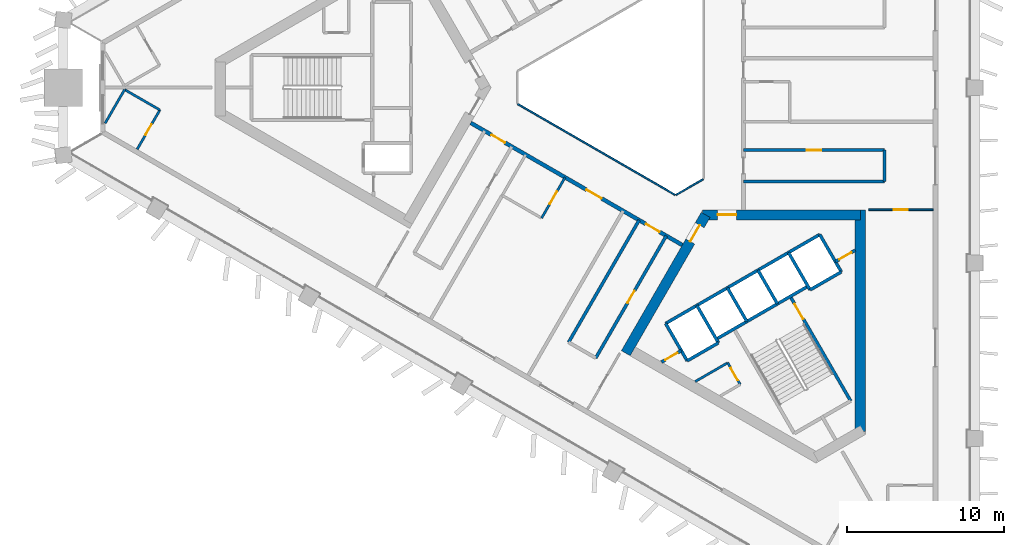
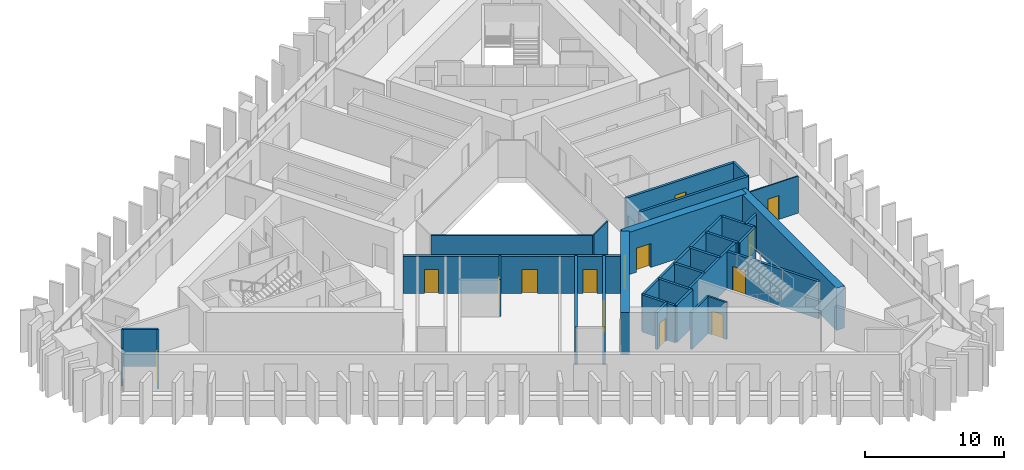
# One storey, part 3 of 10: 31 walls, 14 doors, 14 openings.
"""IFC4 building model written with IfcOpenShell, lengths in metres."""

from ifc_helpers import new_model, si_unit, direction, frame, frame_2d, origin, place, context, subcontext, project, spatial, rectangle, extrude, material, layer, layer_set, type_object, element, fill, save


model = new_model("IFC4")

# Units and contexts
model_context = context("Model", 3, precision=1e-05, world=origin(), true_north=direction((0.0, 1.0)))
body_context = subcontext(model_context, "Body", "Model", "MODEL_VIEW")
ifc_project = project(units=[si_unit("LENGTHUNIT", "METRE"), si_unit("AREAUNIT", "SQUARE_METRE"), si_unit("VOLUMEUNIT", "CUBIC_METRE"), si_unit("PLANEANGLEUNIT", "RADIAN"), si_unit("MASSUNIT", "GRAM", prefix="KILO")], contexts=[model_context])

# Site, building, storey
site_placement = place(None, origin())
site = spatial("IfcSite", under=ifc_project, at=site_placement, CompositionType="ELEMENT")
building_placement = place(site_placement, origin())
building = spatial("IfcBuilding", under=site, at=building_placement, Name="Jabali Bay Hotel Tower and Convention Centre", CompositionType="ELEMENT")
storey_placement = place(building_placement, frame((0.0, 0.0, 136.39990234375)))
storey = spatial("IfcBuildingStorey", under=building, at=storey_placement, Name="L33", CompositionType="ELEMENT", Elevation=136.39990234375)

# Walls
ifc_material_1 = material(Name="Fire-resistant glazing", Category="glass")
ifc_layer_1 = layer(ifc_material_1, 0.10009765625)
ifc_layer_set_1 = layer_set([ifc_layer_1], Name="Fire-resistant glazing")
wall_type_1 = type_object("IfcWallType", Name="Atrium glazed screen 100", PredefinedType="PARTITIONING", material=ifc_layer_set_1)
wall_1_placement = place(storey_placement, frame((67.7021484375, 78.947998046875, 0.0), z_axis=(0.0, 0.0, 1.0), x_axis=(0.866026658274, -0.499997827154, 0.0)))
element("IfcWall", 1, at=wall_1_placement, inside=storey, type_object=wall_type_1, Name="Atrium screen 5 L33", PredefinedType="PARTITIONING", context=body_context, shape_type="SweptSolid", body=[
    extrude(rectangle(XDim=11.58837890625, YDim=0.10009765625, at=frame_2d((5.794189453125, 0.0))), origin(), (0.0, 0.0, 1.0), 3.25),
])
wall_2_placement = place(storey_placement, frame((77.7978515625, 73.15380859375, 0.0), z_axis=(0.0, 0.0, 1.0), x_axis=(0.866041268327, 0.499972520799, 0.0)))
element("IfcWall", 2, at=wall_2_placement, inside=storey, type_object=wall_type_1, Name="Atrium screen 6 L33", PredefinedType="PARTITIONING", context=body_context, shape_type="SweptSolid", body=[
    extrude(rectangle(XDim=2.0, YDim=0.10009765625, at=frame_2d((1.0, 0.0))), origin(), (0.0, 0.0, 1.0), 3.25),
])

# Wall, opening, door
ifc_material_2 = material(Name="Concrete C40", Category="concrete")
ifc_layer_2 = layer(ifc_material_2, 0.199951171875)
ifc_layer_set_2 = layer_set([ifc_layer_2], Name="Concrete C40")
wall_type_2 = type_object("IfcWallType", Name="Core partition wall 200", PredefinedType="PARTITIONING", material=ifc_layer_set_2)
wall_3_placement = place(storey_placement, frame((76.869873046875, 62.489013671875, 0.0), z_axis=(0.0, 0.0, 1.0), x_axis=(0.866054810376, 0.49994906283, 0.0)))
wall_3 = element("IfcWall", 3, at=wall_3_placement, inside=storey, type_object=wall_type_2, Name="Core wall 2.11 L33", PredefinedType="PARTITIONING", context=body_context, shape_type="SweptSolid", body=[
    extrude(rectangle(XDim=1.461181640625, YDim=0.199951171875, at=frame_2d((0.73046875, 0.0))), origin(), (0.0, 0.0, 1.0), 3.25),
])
opening_1_placement = place(wall_3_placement, frame((0.280517578125, 0.0, 0.0)))
opening_1 = element("IfcOpeningElement", 4, at=opening_1_placement, cuts=wall_3, Name="Opening D739", PredefinedType="OPENING", context=body_context, shape_type="SweptSolid", body=[
    extrude(rectangle(XDim=0.89990234375, YDim=2.10009765625, at=frame_2d((0.449951171875, 1.050048828125))), frame((0.0, 0.1103515625, 0.0), z_axis=(0.0, -1.0, 0.0), x_axis=(1.0, 0.0, 0.0)), (0.0, 0.0, 1.0), 0.220947265625),
])
ifc_material_3 = material(Name="Fire-rated steel door", Category="steel")
door_type_1 = type_object("IfcDoorType", Name="Vestibule fire door 900 x 2100", OperationType="NOTDEFINED", PredefinedType="NOTDEFINED", material=ifc_material_3)
door_1_placement = place(opening_1_placement, origin())
door_1 = element("IfcDoor", 5, at=door_1_placement, inside=storey, type_object=door_type_1, Name="Vestibule fire door D739", OperationType="SINGLE_SWING_LEFT", OverallHeight=2.10009765625, OverallWidth=0.89990234375, PredefinedType="NOTDEFINED", context=body_context, shape_type="SweptSolid", body=[
    extrude(rectangle(XDim=0.89990234375, YDim=2.10009765625, at=frame_2d((0.449951171875, 1.050048828125))), frame((0.0, 0.02490234375, 0.0), z_axis=(0.0, -1.0, 0.0), x_axis=(1.0, 0.0, 0.0)), (0.0, 0.0, 1.0), 0.050048828125),
])
fill(opening_1, door_1)

wall_4_placement = place(storey_placement, frame((87.964599609375, 68.89453125, 0.0), z_axis=(0.0, 0.0, 1.0), x_axis=(0.866054810376, 0.49994906283, 0.0)))
wall_4 = element("IfcWall", 6, at=wall_4_placement, inside=storey, type_object=wall_type_2, Name="Core wall 2.12 L33", PredefinedType="PARTITIONING", context=body_context, shape_type="SweptSolid", body=[
    extrude(rectangle(XDim=1.461181640625, YDim=0.199951171875, at=frame_2d((0.73046875, 0.0))), origin(), (0.0, 0.0, 1.0), 3.25),
])
opening_2_placement = place(wall_4_placement, frame((0.280517578125, 0.0, 0.0)))
opening_2 = element("IfcOpeningElement", 7, at=opening_2_placement, cuts=wall_4, Name="Opening D738", PredefinedType="OPENING", context=body_context, shape_type="SweptSolid", body=[
    extrude(rectangle(XDim=0.89990234375, YDim=2.10009765625, at=frame_2d((0.449951171875, 1.050048828125))), frame((0.0, 0.1103515625, 0.0), z_axis=(0.0, -1.0, 0.0), x_axis=(1.0, 0.0, 0.0)), (0.0, 0.0, 1.0), 0.220947265625),
])
door_2_placement = place(opening_2_placement, origin())
door_2 = element("IfcDoor", 8, at=door_2_placement, inside=storey, type_object=door_type_1, Name="Vestibule fire door D738", OperationType="SINGLE_SWING_LEFT", OverallHeight=2.10009765625, OverallWidth=0.89990234375, PredefinedType="NOTDEFINED", context=body_context, shape_type="SweptSolid", body=[
    extrude(rectangle(XDim=0.89990234375, YDim=2.10009765625, at=frame_2d((0.449951171875, 1.050048828125))), frame((0.0, 0.02490234375, 0.0), z_axis=(0.0, -1.0, 0.0), x_axis=(1.0, 0.0, 0.0)), (0.0, 0.0, 1.0), 0.050048828125),
])
fill(opening_2, door_2)

ifc_material_4 = material(Name="Fire-rated board partition")
ifc_layer_3 = layer(ifc_material_4, 0.14990234375)
ifc_layer_set_3 = layer_set([ifc_layer_3], Name="Fire-rated board partition")
wall_type_3 = type_object("IfcWallType", Name="Core room partition 150", PredefinedType="PARTITIONING", material=ifc_layer_set_3)
wall_5_placement = place(storey_placement, frame((81.093994140625, 62.445068359375, 0.0), z_axis=(0.0, 0.0, 1.0), x_axis=(0.499880961361, -0.866094119867, 0.0)))
wall_5 = element("IfcWall", 9, at=wall_5_placement, inside=storey, type_object=wall_type_3, Name="Core wall 2.1 L33", PredefinedType="PARTITIONING", context=body_context, shape_type="SweptSolid", body=[
    extrude(rectangle(XDim=1.60009765625, YDim=0.14990234375, at=frame_2d((0.800048828125, 0.0))), origin(), (0.0, 0.0, 1.0), 3.25),
])
opening_3_placement = place(wall_5_placement, frame((0.387451171875, 0.0, 0.0)))
opening_3 = element("IfcOpeningElement", 10, at=opening_3_placement, cuts=wall_5, Name="Opening D741", PredefinedType="OPENING", context=body_context, shape_type="SweptSolid", body=[
    extrude(rectangle(XDim=0.89990234375, YDim=2.10009765625, at=frame_2d((0.449951171875, 1.050048828125))), frame((0.0, 0.08544921875, 0.0), z_axis=(0.0, -1.0, 0.0), x_axis=(1.0, 0.0, 0.0)), (0.0, 0.0, 1.0), 0.1708984375),
])
door_type_2 = type_object("IfcDoorType", Name="Core room door 900 x 2100", OperationType="NOTDEFINED", PredefinedType="NOTDEFINED", material=ifc_material_3)
door_3_placement = place(opening_3_placement, origin())
door_3 = element("IfcDoor", 11, at=door_3_placement, inside=storey, type_object=door_type_2, Name="Core room door D741", OperationType="SINGLE_SWING_LEFT", OverallHeight=2.10009765625, OverallWidth=0.89990234375, PredefinedType="NOTDEFINED", context=body_context, shape_type="SweptSolid", body=[
    extrude(rectangle(XDim=0.89990234375, YDim=2.10009765625, at=frame_2d((0.449951171875, 1.050048828125))), frame((0.0, 0.02490234375, 0.0), z_axis=(0.0, -1.0, 0.0), x_axis=(1.0, 0.0, 0.0)), (0.0, 0.0, 1.0), 0.050048828125),
])
fill(opening_3, door_3)

# Walls
wall_6_placement = place(storey_placement, frame((79.02001953125, 61.247802734375, 0.0), z_axis=(0.0, 0.0, 1.0), x_axis=(0.866051471819, 0.499954846121, 0.0)))
element("IfcWall", 12, at=wall_6_placement, inside=storey, type_object=wall_type_3, Name="Core wall 2.16 L33", PredefinedType="PARTITIONING", context=body_context, shape_type="SweptSolid", body=[
    extrude(rectangle(XDim=2.394775390625, YDim=0.14990234375, at=frame_2d((1.197265625, 0.0))), origin(), (0.0, 0.0, 1.0), 3.25),
])
ifc_layer_4 = layer(ifc_material_2, 0.199951171875)
ifc_layer_set_4 = layer_set([ifc_layer_4], Name="Concrete C40")
wall_type_4 = type_object("IfcWallType", Name="Core stair wall 200", PredefinedType="SOLIDWALL", material=ifc_layer_set_4)
for number, where, z_axis, x_axis, name in (
    (13, (77.13525390625, 64.95166015625, 0.0), (0.0, 0.0, 1.0), (0.499996545922, -0.866027397988, 0.0), "Core wall 2.0 L33"),
    (14, (79.127197265625, 66.1015625, 0.0), (0.0, 0.0, 1.0), (0.499996545922, -0.866027397988, 0.0), "Core wall 2.2 L33"),
):
    element("IfcWall", number, at=place(storey_placement, frame(where, z_axis=z_axis, x_axis=x_axis)), inside=storey, type_object=wall_type_4, Name=name, PredefinedType="SOLIDWALL", context=body_context, shape_type="SweptSolid", body=[
        extrude(rectangle(XDim=2.75, YDim=0.199951171875, at=frame_2d((1.375, 0.0))), origin(), (0.0, 0.0, 1.0), 3.25),
    ])
for number, where, z_axis, x_axis, name in (
    (15, (81.07568359375, 67.2265625, 0.0), (0.0, 0.0, 1.0), (0.50000366821, -0.866023285932, 0.0), "Core wall 2.4 L33"),
    (16, (83.024169921875, 68.3515625, 0.0), (0.0, 0.0, 1.0), (0.50000366821, -0.866023285932, 0.0), "Core wall 2.6 L33"),
):
    element("IfcWall", number, at=place(storey_placement, frame(where, z_axis=z_axis, x_axis=x_axis)), inside=storey, type_object=wall_type_4, Name=name, PredefinedType="SOLIDWALL", context=body_context, shape_type="SweptSolid", body=[
        extrude(rectangle(XDim=2.47998046875, YDim=0.199951171875, at=frame_2d((1.239990234375, 0.0))), origin(), (0.0, 0.0, 1.0), 3.25),
    ])

# Wall, opening, door
wall_7_placement = place(storey_placement, frame((85.0869140625, 66.6787109375, 0.0), z_axis=(0.0, 0.0, 1.0), x_axis=(0.500019787375, -0.866013979237, 0.0)))
wall_7 = element("IfcWall", 17, at=wall_7_placement, inside=storey, type_object=wall_type_4, Name="Core wall 2.7 L33", PredefinedType="SOLIDWALL", context=body_context, shape_type="SweptSolid", body=[
    extrude(rectangle(XDim=7.699951171875, YDim=0.199951171875, at=frame_2d((3.85009765625, 0.0))), origin(), (0.0, 0.0, 1.0), 3.25),
])
opening_4_placement = place(wall_7_placement, frame((0.550048828125, 0.0, 0.0)))
opening_4 = element("IfcOpeningElement", 18, at=opening_4_placement, cuts=wall_7, Name="Opening D740", PredefinedType="OPENING", context=body_context, shape_type="SweptSolid", body=[
    extrude(rectangle(XDim=1.10009765625, YDim=2.10009765625, at=frame_2d((0.550048828125, 1.050048828125))), frame((0.0, 0.1103515625, 0.0), z_axis=(0.0, -1.0, 0.0), x_axis=(1.0, 0.0, 0.0)), (0.0, 0.0, 1.0), 0.220947265625),
])
door_type_3 = type_object("IfcDoorType", Name="Stair fire door 1100 x 2100", OperationType="NOTDEFINED", PredefinedType="NOTDEFINED", material=ifc_material_3)
door_4_placement = place(opening_4_placement, origin())
door_4 = element("IfcDoor", 19, at=door_4_placement, inside=storey, type_object=door_type_3, Name="Stair fire door D740", OperationType="SINGLE_SWING_RIGHT", OverallHeight=2.10009765625, OverallWidth=1.10009765625, PredefinedType="NOTDEFINED", context=body_context, shape_type="SweptSolid", body=[
    extrude(rectangle(XDim=1.10009765625, YDim=2.10009765625, at=frame_2d((0.550048828125, 1.050048828125))), frame((0.0, 0.02490234375, 0.0), z_axis=(0.0, -1.0, 0.0), x_axis=(1.0, 0.0, 0.0)), (0.0, 0.0, 1.0), 0.050048828125),
])
fill(opening_4, door_4)

# Walls
for number, where, z_axis, x_axis, name in (
    (20, (84.972900390625, 69.4765625, 0.0), (0.0, 0.0, 1.0), (0.499996545922, -0.866027397988, 0.0), "Core wall 2.8 L33"),
    (21, (86.964599609375, 70.62646484375, 0.0), (0.0, 0.0, 1.0), (0.499996545922, -0.866027397988, 0.0), "Core wall 2.9 L33"),
):
    element("IfcWall", number, at=place(storey_placement, frame(where, z_axis=z_axis, x_axis=x_axis)), inside=storey, type_object=wall_type_4, Name=name, PredefinedType="SOLIDWALL", context=body_context, shape_type="SweptSolid", body=[
        extrude(rectangle(XDim=2.75, YDim=0.199951171875, at=frame_2d((1.375, 0.0))), origin(), (0.0, 0.0, 1.0), 3.25),
    ])
wall_8_placement = place(storey_placement, frame((77.13525390625, 64.95166015625, 0.0), z_axis=(0.0, 0.0, 1.0), x_axis=(0.866031916153, 0.499988720078, 0.0)))
element("IfcWall", 22, at=wall_8_placement, inside=storey, type_object=wall_type_4, Name="Core wall 2.10 L33", PredefinedType="SOLIDWALL", context=body_context, shape_type="SweptSolid", body=[
    extrude(rectangle(XDim=11.349853515625, YDim=0.199951171875, at=frame_2d((5.6748046875, 0.0))), origin(), (0.0, 0.0, 1.0), 3.25),
])
wall_9_placement = place(storey_placement, frame((80.3671875, 63.953857421875, 0.0), z_axis=(0.0, 0.0, 1.0), x_axis=(0.866026575979, 0.499997969693, 0.0)))
element("IfcWall", 23, at=wall_9_placement, inside=storey, type_object=wall_type_4, Name="Core wall 2.13 L33", PredefinedType="SOLIDWALL", context=body_context, shape_type="SweptSolid", body=[
    extrude(rectangle(XDim=6.75, YDim=0.199951171875, at=frame_2d((3.375, 0.0))), origin(), (0.0, 0.0, 1.0), 3.25),
])
wall_10_placement = place(storey_placement, frame((78.51025390625, 62.570068359375, 0.0), z_axis=(0.0, 0.0, 1.0), x_axis=(0.866053019151, 0.499952165731, 0.0)))
element("IfcWall", 24, at=wall_10_placement, inside=storey, type_object=wall_type_4, Name="Core wall 2.14 L33", PredefinedType="SOLIDWALL", context=body_context, shape_type="SweptSolid", body=[
    extrude(rectangle(XDim=2.300048828125, YDim=0.199951171875, at=frame_2d((1.14990234375, 0.0))), origin(), (0.0, 0.0, 1.0), 3.25),
])
wall_11_placement = place(storey_placement, frame((86.347900390625, 67.094970703125, 0.0), z_axis=(0.0, 0.0, 1.0), x_axis=(0.86602648383, 0.499998129301, 0.0)))
element("IfcWall", 25, at=wall_11_placement, inside=storey, type_object=wall_type_4, Name="Core wall 2.15 L33", PredefinedType="SOLIDWALL", context=body_context, shape_type="SweptSolid", body=[
    extrude(rectangle(XDim=2.2998046875, YDim=0.199951171875, at=frame_2d((1.14990234375, 0.0))), origin(), (0.0, 0.0, 1.0), 3.25),
])

# Wall, opening, door
ifc_material_5 = material(Name="Concrete C60", Category="concrete")
ifc_layer_5 = layer(ifc_material_5, 0.64990234375)
ifc_layer_set_5 = layer_set([ifc_layer_5], Name="Concrete C60")
wall_type_5 = type_object("IfcWallType", Name="Core wall 650", PredefinedType="SHEAR", material=ifc_layer_set_5)
wall_12_placement = place(storey_placement, frame((79.687744140625, 71.880859375, 0.0), z_axis=(0.0, 0.0, 1.0), x_axis=(-0.49999822179, -0.866026430432, 0.0)))
wall_12 = element("IfcWall", 26, at=wall_12_placement, inside=storey, type_object=wall_type_5, Name="Core wall 3.1 L33", PredefinedType="SHEAR", context=body_context, shape_type="SweptSolid", body=[
    extrude(rectangle(XDim=10.1923828125, YDim=0.64990234375, at=frame_2d((5.09619140625, 0.0))), origin(), (0.0, 0.0, 1.0), 3.7001953125),
])
opening_5_placement = place(wall_12_placement, frame((0.762451171875, 0.0, 0.0)))
opening_5 = element("IfcOpeningElement", 27, at=opening_5_placement, cuts=wall_12, Name="Opening D736", PredefinedType="OPENING", context=body_context, shape_type="SweptSolid", body=[
    extrude(rectangle(XDim=1.199951171875, YDim=2.10009765625, at=frame_2d((0.60009765625, 1.050048828125))), frame((0.0, 0.33544921875, 0.0), z_axis=(0.0, -1.0, 0.0), x_axis=(1.0, 0.0, 0.0)), (0.0, 0.0, 1.0), 0.6708984375),
])
door_type_4 = type_object("IfcDoorType", Name="Corridor end fire door 1200 x 2100", OperationType="NOTDEFINED", PredefinedType="NOTDEFINED", material=ifc_material_3)
door_5_placement = place(opening_5_placement, origin())
door_5 = element("IfcDoor", 28, at=door_5_placement, inside=storey, type_object=door_type_4, Name="Corridor end fire door D736", OperationType="SINGLE_SWING_RIGHT", OverallHeight=2.10009765625, OverallWidth=1.199951171875, PredefinedType="NOTDEFINED", context=body_context, shape_type="SweptSolid", body=[
    extrude(rectangle(XDim=1.199951171875, YDim=2.10009765625, at=frame_2d((0.60009765625, 1.050048828125))), frame((0.0, 0.02490234375, 0.0), z_axis=(0.0, -1.0, 0.0), x_axis=(1.0, 0.0, 0.0)), (0.0, 0.0, 1.0), 0.050048828125),
])
fill(opening_5, door_5)

# Wall
wall_13_placement = place(storey_placement, frame((89.554931640625, 58.06005859375, 0.0), z_axis=(0.0, 0.0, 1.0), x_axis=(0.0, 1.0, 0.0)))
element("IfcWall", 29, at=wall_13_placement, inside=storey, type_object=wall_type_5, Name="Core wall 3.4 L33", PredefinedType="SHEAR", context=body_context, shape_type="SweptSolid", body=[
    extrude(rectangle(XDim=14.145751953125, YDim=0.64990234375, at=frame_2d((7.07275390625, 0.0))), origin(), (0.0, 0.0, 1.0), 3.7001953125),
])

# Wall, opening, door
wall_14_placement = place(storey_placement, frame((89.554931640625, 71.880859375, 0.0), z_axis=(0.0, 0.0, 1.0), x_axis=(-1.0, 0.0, 0.0)))
wall_14 = element("IfcWall", 30, at=wall_14_placement, inside=storey, type_object=wall_type_5, Name="Core wall 3.5 L33", PredefinedType="SHEAR", context=body_context, shape_type="SweptSolid", body=[
    extrude(rectangle(XDim=10.054931640625, YDim=0.64990234375, at=frame_2d((5.02734375, 0.0))), origin(), (0.0, 0.0, 1.0), 3.7001953125),
])
opening_6_placement = place(wall_14_placement, frame((7.905029296875, 0.0, 0.0)))
opening_6 = element("IfcOpeningElement", 31, at=opening_6_placement, cuts=wall_14, Name="Opening D737", PredefinedType="OPENING", context=body_context, shape_type="SweptSolid", body=[
    extrude(rectangle(XDim=1.199951171875, YDim=2.10009765625, at=frame_2d((0.60009765625, 1.050048828125))), frame((0.0, 0.33544921875, 0.0), z_axis=(0.0, -1.0, 0.0), x_axis=(1.0, 0.0, 0.0)), (0.0, 0.0, 1.0), 0.6708984375),
])
door_6_placement = place(opening_6_placement, origin())
door_6 = element("IfcDoor", 32, at=door_6_placement, inside=storey, type_object=door_type_4, Name="Corridor end fire door D737", OperationType="SINGLE_SWING_LEFT", OverallHeight=2.10009765625, OverallWidth=1.199951171875, PredefinedType="NOTDEFINED", context=body_context, shape_type="SweptSolid", body=[
    extrude(rectangle(XDim=1.199951171875, YDim=2.10009765625, at=frame_2d((0.60009765625, 1.050048828125))), frame((0.0, 0.02490234375, 0.0), z_axis=(0.0, -1.0, 0.0), x_axis=(1.0, 0.0, 0.0)), (0.0, 0.0, 1.0), 0.050048828125),
])
fill(opening_6, door_6)

# Wall, openings, doors
ifc_layer_6 = layer(ifc_material_5, 0.25)
ifc_layer_set_6 = layer_set([ifc_layer_6], Name="Concrete C60")
wall_type_6 = type_object("IfcWallType", Name="Corridor wall 250", PredefinedType="SHEAR", material=ifc_layer_set_6)
wall_15_placement = place(storey_placement, frame((64.699951171875, 77.748291015625, 0.0), z_axis=(0.0, 0.0, 1.0), x_axis=(0.866026492143, -0.499998114903, 0.0)))
wall_15 = element("IfcWall", 33, at=wall_15_placement, inside=storey, type_object=wall_type_6, Name="Corridor wall 3 L33", PredefinedType="SHEAR", context=body_context, shape_type="SweptSolid", body=[
    extrude(rectangle(XDim=15.58837890625, YDim=0.25, at=frame_2d((7.794189453125, 0.0))), origin(), (0.0, 0.0, 1.0), 3.25),
])
opening_7_placement = place(wall_15_placement, frame((1.526611328125, 0.0, 0.0)))
opening_7 = element("IfcOpeningElement", 34, at=opening_7_placement, cuts=wall_15, Name="Opening 3321", PredefinedType="OPENING", context=body_context, shape_type="SweptSolid", body=[
    extrude(rectangle(XDim=1.0, YDim=2.10009765625, at=frame_2d((0.5, 1.050048828125))), frame((0.0, 0.135498046875, 0.0), z_axis=(0.0, -1.0, 0.0), x_axis=(1.0, 0.0, 0.0)), (0.0, 0.0, 1.0), 0.27099609375),
])
opening_8_placement = place(wall_15_placement, frame((8.538330078125, 0.0, 0.0)))
opening_8 = element("IfcOpeningElement", 35, at=opening_8_placement, cuts=wall_15, Name="Opening 3326", PredefinedType="OPENING", context=body_context, shape_type="SweptSolid", body=[
    extrude(rectangle(XDim=1.10009765625, YDim=2.10009765625, at=frame_2d((0.550048828125, 1.050048828125))), frame((0.0, 0.135498046875, 0.0), z_axis=(0.0, -1.0, 0.0), x_axis=(1.0, 0.0, 0.0)), (0.0, 0.0, 1.0), 0.27099609375),
])
opening_9_placement = place(wall_15_placement, frame((12.906005859375, 0.0, 0.0)))
opening_9 = element("IfcOpeningElement", 36, at=opening_9_placement, cuts=wall_15, Name="Opening 3327", PredefinedType="OPENING", context=body_context, shape_type="SweptSolid", body=[
    extrude(rectangle(XDim=1.0, YDim=2.10009765625, at=frame_2d((0.5, 1.050048828125))), frame((0.0, 0.135498046875, 0.0), z_axis=(0.0, -1.0, 0.0), x_axis=(1.0, 0.0, 0.0)), (0.0, 0.0, 1.0), 0.27099609375),
])
ifc_material_6 = material(Name="Timber", Category="wood")
door_type_5 = type_object("IfcDoorType", Name="Accessible guest room door 1100 x 2100", OperationType="NOTDEFINED", PredefinedType="NOTDEFINED", material=ifc_material_6)
door_7_placement = place(opening_8_placement, origin())
door_7 = element("IfcDoor", 37, at=door_7_placement, inside=storey, type_object=door_type_5, Name="Door 3326", OperationType="SINGLE_SWING_RIGHT", OverallHeight=2.10009765625, OverallWidth=1.10009765625, PredefinedType="NOTDEFINED", context=body_context, shape_type="SweptSolid", body=[
    extrude(rectangle(XDim=1.10009765625, YDim=2.10009765625, at=frame_2d((0.550048828125, 1.050048828125))), frame((0.0, 0.02490234375, 0.0), z_axis=(0.0, -1.0, 0.0), x_axis=(1.0, 0.0, 0.0)), (0.0, 0.0, 1.0), 0.050048828125),
])
fill(opening_8, door_7)
door_type_6 = type_object("IfcDoorType", Name="Guest room door 1000 x 2100", OperationType="NOTDEFINED", PredefinedType="NOTDEFINED", material=ifc_material_6)
door_8_placement = place(opening_7_placement, origin())
door_8 = element("IfcDoor", 38, at=door_8_placement, inside=storey, type_object=door_type_6, Name="Door 3321", OperationType="SINGLE_SWING_LEFT", OverallHeight=2.10009765625, OverallWidth=1.0, PredefinedType="NOTDEFINED", context=body_context, shape_type="SweptSolid", body=[
    extrude(rectangle(XDim=1.0, YDim=2.10009765625, at=frame_2d((0.5, 1.050048828125))), frame((0.0, 0.02490234375, 0.0), z_axis=(0.0, -1.0, 0.0), x_axis=(1.0, 0.0, 0.0)), (0.0, 0.0, 1.0), 0.050048828125),
])
fill(opening_7, door_8)
door_9_placement = place(opening_9_placement, origin())
door_9 = element("IfcDoor", 39, at=door_9_placement, inside=storey, type_object=door_type_6, Name="Door 3327", OperationType="SINGLE_SWING_RIGHT", OverallHeight=2.10009765625, OverallWidth=1.0, PredefinedType="NOTDEFINED", context=body_context, shape_type="SweptSolid", body=[
    extrude(rectangle(XDim=1.0, YDim=2.10009765625, at=frame_2d((0.5, 1.050048828125))), frame((0.0, 0.02490234375, 0.0), z_axis=(0.0, -1.0, 0.0), x_axis=(1.0, 0.0, 0.0)), (0.0, 0.0, 1.0), 0.050048828125),
])
fill(opening_9, door_9)

# Wall, opening, door
ifc_material_7 = material(Name="Plasterboard on steel stud", Category="steel")
ifc_layer_7 = layer(ifc_material_7, 0.10009765625)
ifc_layer_set_7 = layer_set([ifc_layer_7], Name="Plasterboard on steel stud")
wall_type_7 = type_object("IfcWallType", Name="Partition 100 unit", PredefinedType="PARTITIONING", material=ifc_layer_set_7)
wall_16_placement = place(storey_placement, frame((90.0791015625, 72.205810546875, 0.0), z_axis=(0.0, 0.0, 1.0), x_axis=(1.0, 0.0, 0.0)))
wall_16 = element("IfcWall", 40, at=wall_16_placement, inside=storey, type_object=wall_type_7, Name="Partition P02 L33 001", PredefinedType="PARTITIONING", context=body_context, shape_type="SweptSolid", body=[
    extrude(rectangle(XDim=4.123779296875, YDim=0.10009765625, at=frame_2d((2.06201171875, 0.0))), origin(), (0.0, 0.0, 1.0), 3.25),
])
opening_10_placement = place(wall_16_placement, frame((1.612060546875, 0.0, 0.0)))
opening_10 = element("IfcOpeningElement", 41, at=opening_10_placement, cuts=wall_16, Name="Opening 3302", PredefinedType="OPENING", context=body_context, shape_type="SweptSolid", body=[
    extrude(rectangle(XDim=0.89990234375, YDim=2.10009765625, at=frame_2d((0.449951171875, 1.050048828125))), frame((0.0, 0.060546875, 0.0), z_axis=(0.0, -1.0, 0.0), x_axis=(1.0, 0.0, 0.0)), (0.0, 0.0, 1.0), 0.12109375),
])
door_type_7 = type_object("IfcDoorType", Name="Internal door 900 x 2100", OperationType="NOTDEFINED", PredefinedType="NOTDEFINED", material=ifc_material_6)
door_10_placement = place(opening_10_placement, origin())
door_10 = element("IfcDoor", 42, at=door_10_placement, inside=storey, type_object=door_type_7, Name="Door 3302", OperationType="SINGLE_SWING_RIGHT", OverallHeight=2.10009765625, OverallWidth=0.89990234375, PredefinedType="NOTDEFINED", context=body_context, shape_type="SweptSolid", body=[
    extrude(rectangle(XDim=0.89990234375, YDim=2.10009765625, at=frame_2d((0.449951171875, 1.050048828125))), frame((0.0, 0.02490234375, 0.0), z_axis=(0.0, -1.0, 0.0), x_axis=(1.0, 0.0, 0.0)), (0.0, 0.0, 1.0), 0.050048828125),
])
fill(opening_10, door_10)

# Walls
ifc_layer_8 = layer(ifc_material_7, 0.14990234375)
ifc_layer_set_8 = layer_set([ifc_layer_8], Name="Plasterboard on steel stud")
wall_type_8 = type_object("IfcWallType", Name="Partition 150 wet", PredefinedType="PARTITIONING", material=ifc_layer_set_8)
wall_17_placement = place(storey_placement, frame((41.376220703125, 77.7177734375, 0.0), z_axis=(0.0, 0.0, 1.0), x_axis=(0.500014231302, 0.866017187182, 0.0)))
element("IfcWall", 43, at=wall_17_placement, inside=storey, type_object=wall_type_8, Name="Partition P03 L33 047", PredefinedType="PARTITIONING", context=body_context, shape_type="SweptSolid", body=[
    extrude(rectangle(XDim=2.48681640625, YDim=0.14990234375, at=frame_2d((1.243408203125, 0.0))), origin(), (0.0, 0.0, 1.0), 3.25),
])
wall_18_placement = place(storey_placement, frame((42.61962890625, 79.871337890625, 0.0), z_axis=(0.0, 0.0, 1.0), x_axis=(0.866062058628, -0.499936506574, 0.0)))
element("IfcWall", 44, at=wall_18_placement, inside=storey, type_object=wall_type_8, Name="Partition P03 L33 048", PredefinedType="PARTITIONING", context=body_context, shape_type="SweptSolid", body=[
    extrude(rectangle(XDim=2.599853515625, YDim=0.14990234375, at=frame_2d((1.2998046875, 0.0))), origin(), (0.0, 0.0, 1.0), 3.25),
])

# Wall, opening, door
wall_19_placement = place(storey_placement, frame((44.871337890625, 78.571533203125, 0.0), z_axis=(0.0, 0.0, 1.0), x_axis=(-0.499987231761, -0.866032775405, 0.0)))
wall_19 = element("IfcWall", 45, at=wall_19_placement, inside=storey, type_object=wall_type_8, Name="Partition P03 L33 049", PredefinedType="PARTITIONING", context=body_context, shape_type="SweptSolid", body=[
    extrude(rectangle(XDim=2.89990234375, YDim=0.14990234375, at=frame_2d((1.449951171875, 0.0))), origin(), (0.0, 0.0, 1.0), 3.25),
])
opening_11_placement = place(wall_19_placement, frame((1.050048828125, 0.0, 0.0)))
opening_11 = element("IfcOpeningElement", 46, at=opening_11_placement, cuts=wall_19, Name="Opening 3323", PredefinedType="OPENING", context=body_context, shape_type="SweptSolid", body=[
    extrude(rectangle(XDim=0.800048828125, YDim=2.10009765625, at=frame_2d((0.39990234375, 1.050048828125))), frame((0.0, 0.08544921875, 0.0), z_axis=(0.0, -1.0, 0.0), x_axis=(1.0, 0.0, 0.0)), (0.0, 0.0, 1.0), 0.1708984375),
])
door_type_8 = type_object("IfcDoorType", Name="En-suite door 800 x 2100", OperationType="NOTDEFINED", PredefinedType="NOTDEFINED", material=ifc_material_6)
door_11_placement = place(opening_11_placement, origin())
door_11 = element("IfcDoor", 47, at=door_11_placement, inside=storey, type_object=door_type_8, Name="Door 3323", OperationType="SINGLE_SWING_LEFT", OverallHeight=2.10009765625, OverallWidth=0.800048828125, PredefinedType="NOTDEFINED", context=body_context, shape_type="SweptSolid", body=[
    extrude(rectangle(XDim=0.800048828125, YDim=2.10009765625, at=frame_2d((0.39990234375, 1.050048828125))), frame((0.0, 0.02490234375, 0.0), z_axis=(0.0, -1.0, 0.0), x_axis=(1.0, 0.0, 0.0)), (0.0, 0.0, 1.0), 0.050048828125),
])
fill(opening_11, door_11)

wall_20_placement = place(storey_placement, frame((70.721435546875, 74.271728515625, 0.0), z_axis=(0.0, 0.0, 1.0), x_axis=(-0.50002537861, -0.866010750942, 0.0)))
wall_20 = element("IfcWall", 48, at=wall_20_placement, inside=storey, type_object=wall_type_8, Name="Partition P03 L33 050", PredefinedType="PARTITIONING", context=body_context, shape_type="SweptSolid", body=[
    extrude(rectangle(XDim=2.999755859375, YDim=0.14990234375, at=frame_2d((1.5, 0.0))), origin(), (0.0, 0.0, 1.0), 3.25),
])
opening_12_placement = place(wall_20_placement, frame((1.050048828125, 0.0, 0.0)))
opening_12 = element("IfcOpeningElement", 49, at=opening_12_placement, cuts=wall_20, Name="Opening 3325", PredefinedType="OPENING", context=body_context, shape_type="SweptSolid", body=[
    extrude(rectangle(XDim=0.89990234375, YDim=2.10009765625, at=frame_2d((0.449951171875, 1.050048828125))), frame((0.0, 0.08544921875, 0.0), z_axis=(0.0, -1.0, 0.0), x_axis=(1.0, 0.0, 0.0)), (0.0, 0.0, 1.0), 0.1708984375),
])
door_type_9 = type_object("IfcDoorType", Name="Accessible en-suite door 900 x 2100", OperationType="NOTDEFINED", PredefinedType="NOTDEFINED", material=ifc_material_6)
door_12_placement = place(opening_12_placement, origin())
door_12 = element("IfcDoor", 50, at=door_12_placement, inside=storey, type_object=door_type_9, Name="Door 3325", OperationType="SINGLE_SWING_RIGHT", OverallHeight=2.10009765625, OverallWidth=0.89990234375, PredefinedType="NOTDEFINED", context=body_context, shape_type="SweptSolid", body=[
    extrude(rectangle(XDim=0.89990234375, YDim=2.10009765625, at=frame_2d((0.449951171875, 1.050048828125))), frame((0.0, 0.02490234375, 0.0), z_axis=(0.0, -1.0, 0.0), x_axis=(1.0, 0.0, 0.0)), (0.0, 0.0, 1.0), 0.050048828125),
])
fill(opening_12, door_12)

ifc_layer_9 = layer(ifc_material_7, 0.199951171875)
ifc_layer_set_9 = layer_set([ifc_layer_9], Name="Plasterboard on steel stud")
wall_type_9 = type_object("IfcWallType", Name="Partition 200 party", PredefinedType="PARTITIONING", material=ifc_layer_set_9)
wall_21_placement = place(storey_placement, frame((82.10009765625, 76.01171875, 0.0), z_axis=(0.0, 0.0, 1.0), x_axis=(1.0, 0.0, 0.0)))
wall_21 = element("IfcWall", 51, at=wall_21_placement, inside=storey, type_object=wall_type_9, Name="Partition P01 L33 002", PredefinedType="PARTITIONING", context=body_context, shape_type="SweptSolid", body=[
    extrude(rectangle(XDim=9.0, YDim=0.199951171875, at=frame_2d((4.5, 0.0))), origin(), (0.0, 0.0, 1.0), 3.25),
])
opening_13_placement = place(wall_21_placement, frame((4.050048828125, 0.0, 0.0)))
opening_13 = element("IfcOpeningElement", 52, at=opening_13_placement, cuts=wall_21, Name="Opening 3304", PredefinedType="OPENING", context=body_context, shape_type="SweptSolid", body=[
    extrude(rectangle(XDim=0.89990234375, YDim=2.10009765625, at=frame_2d((0.449951171875, 1.050048828125))), frame((0.0, 0.1103515625, 0.0), z_axis=(0.0, -1.0, 0.0), x_axis=(1.0, 0.0, 0.0)), (0.0, 0.0, 1.0), 0.220947265625),
])
door_13_placement = place(opening_13_placement, origin())
door_13 = element("IfcDoor", 53, at=door_13_placement, inside=storey, type_object=door_type_7, Name="Door 3304", OperationType="SINGLE_SWING_RIGHT", OverallHeight=2.10009765625, OverallWidth=0.89990234375, PredefinedType="NOTDEFINED", context=body_context, shape_type="SweptSolid", body=[
    extrude(rectangle(XDim=0.89990234375, YDim=2.10009765625, at=frame_2d((0.449951171875, 1.050048828125))), frame((0.0, 0.02490234375, 0.0), z_axis=(0.0, -1.0, 0.0), x_axis=(1.0, 0.0, 0.0)), (0.0, 0.0, 1.0), 0.050048828125),
])
fill(opening_13, door_13)

# Walls
wall_22_placement = place(storey_placement, frame((91.10009765625, 76.01171875, 0.0), z_axis=(0.0, 0.0, 1.0), x_axis=(0.0, -1.0, 0.0)))
element("IfcWall", 54, at=wall_22_placement, inside=storey, type_object=wall_type_9, Name="Partition P01 L33 003", PredefinedType="PARTITIONING", context=body_context, shape_type="SweptSolid", body=[
    extrude(rectangle(XDim=2.0, YDim=0.199951171875, at=frame_2d((1.0, 0.0))), origin(), (0.0, 0.0, 1.0), 3.25),
])
wall_23_placement = place(storey_placement, frame((91.10009765625, 74.01171875, 0.0), z_axis=(0.0, 0.0, 1.0), x_axis=(-1.0, 0.0, 0.0)))
element("IfcWall", 55, at=wall_23_placement, inside=storey, type_object=wall_type_9, Name="Partition P01 L33 004", PredefinedType="PARTITIONING", context=body_context, shape_type="SweptSolid", body=[
    extrude(rectangle(XDim=9.0, YDim=0.199951171875, at=frame_2d((4.5, 0.0))), origin(), (0.0, 0.0, 1.0), 3.25),
])

# Wall, opening, door
wall_24_placement = place(storey_placement, frame((77.176025390625, 70.54541015625, 0.0), z_axis=(0.0, 0.0, 1.0), x_axis=(-0.499990139034, -0.866031096941, 0.0)))
wall_24 = element("IfcWall", 56, at=wall_24_placement, inside=storey, type_object=wall_type_9, Name="Partition P01 L33 054", PredefinedType="PARTITIONING", context=body_context, shape_type="SweptSolid", body=[
    extrude(rectangle(XDim=9.000244140625, YDim=0.199951171875, at=frame_2d((4.5, 0.0))), origin(), (0.0, 0.0, 1.0), 3.25),
])
opening_14_placement = place(wall_24_placement, frame((4.050048828125, 0.0, 0.0)))
opening_14 = element("IfcOpeningElement", 57, at=opening_14_placement, cuts=wall_24, Name="Opening 3330", PredefinedType="OPENING", context=body_context, shape_type="SweptSolid", body=[
    extrude(rectangle(XDim=0.89990234375, YDim=2.10009765625, at=frame_2d((0.449951171875, 1.050048828125))), frame((0.0, 0.1103515625, 0.0), z_axis=(0.0, -1.0, 0.0), x_axis=(1.0, 0.0, 0.0)), (0.0, 0.0, 1.0), 0.220947265625),
])
door_14_placement = place(opening_14_placement, origin())
door_14 = element("IfcDoor", 58, at=door_14_placement, inside=storey, type_object=door_type_7, Name="Door 3330", OperationType="SINGLE_SWING_LEFT", OverallHeight=2.10009765625, OverallWidth=0.89990234375, PredefinedType="NOTDEFINED", context=body_context, shape_type="SweptSolid", body=[
    extrude(rectangle(XDim=0.89990234375, YDim=2.10009765625, at=frame_2d((0.449951171875, 1.050048828125))), frame((0.0, 0.02490234375, 0.0), z_axis=(0.0, -1.0, 0.0), x_axis=(1.0, 0.0, 0.0)), (0.0, 0.0, 1.0), 0.050048828125),
])
fill(opening_14, door_14)

# Wall
wall_25_placement = place(storey_placement, frame((70.944091796875, 63.7509765625, 0.0), z_axis=(0.0, 0.0, 1.0), x_axis=(0.499990139034, 0.866031096941, 0.0)))
element("IfcWall", 59, at=wall_25_placement, inside=storey, type_object=wall_type_9, Name="Partition P01 L33 056", PredefinedType="PARTITIONING", context=body_context, shape_type="SweptSolid", body=[
    extrude(rectangle(XDim=9.000244140625, YDim=0.199951171875, at=frame_2d((4.5, 0.0))), origin(), (0.0, 0.0, 1.0), 3.25),
])

save(model, "model.ifc")
